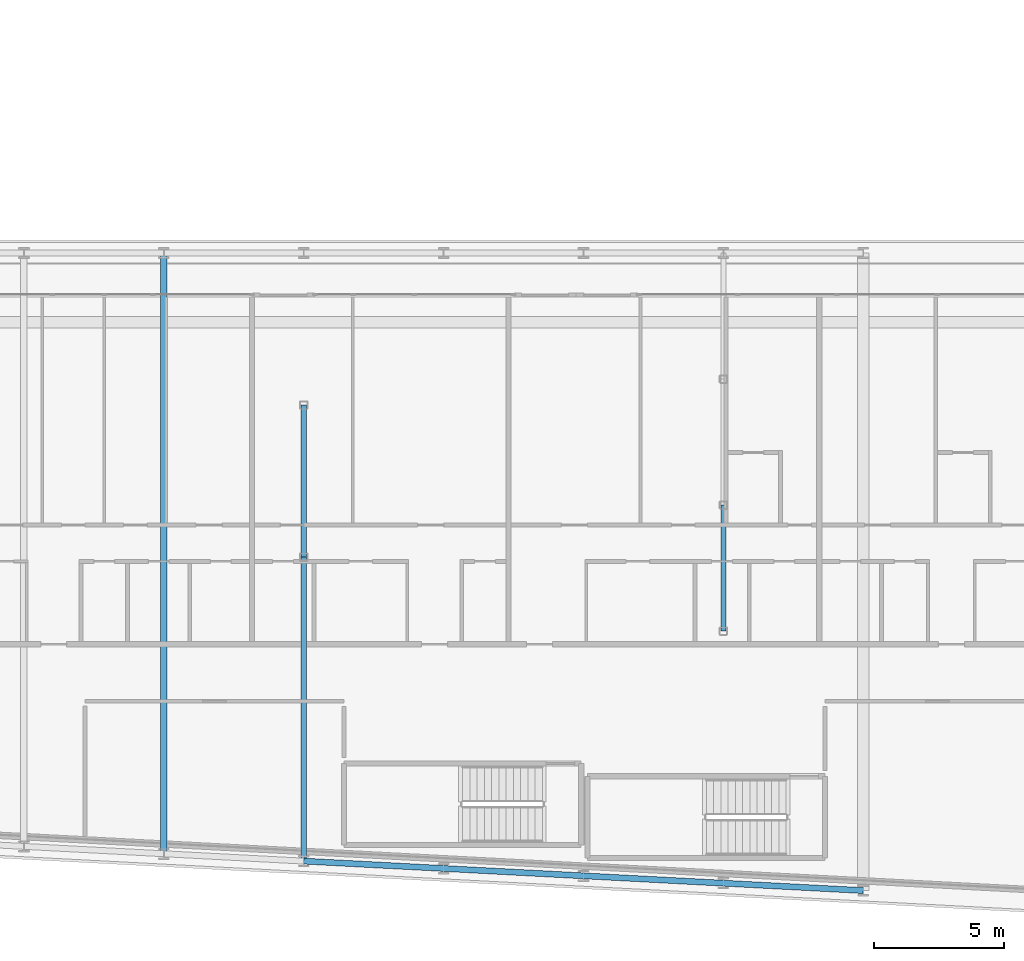
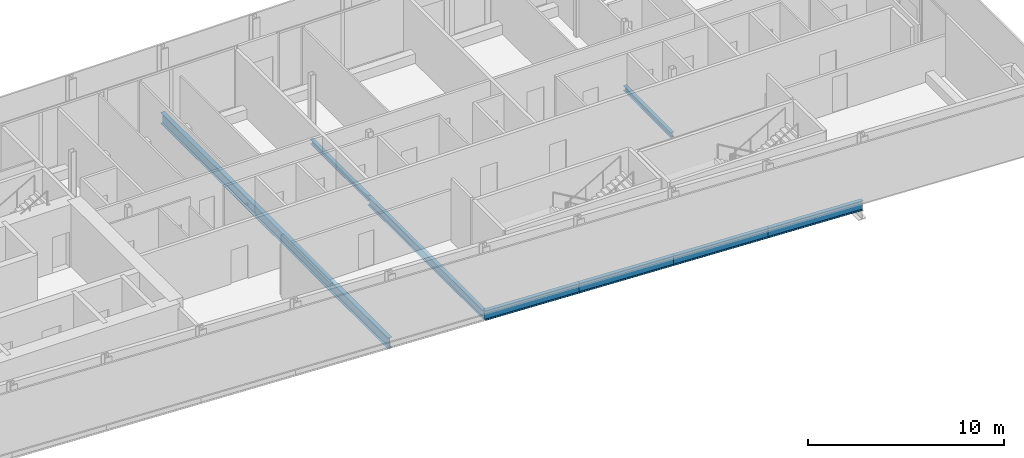
# One storey, part 7 of 30: 8 beams.
"""IFC4 building model written with IfcOpenShell, lengths in metres."""

import ifcopenshell
import ifcopenshell.guid

model = None  # the IFC model being written
_history = None  # IfcOwnerHistory: only IFC2X3 demands one
_inside = {}  # id of a spatial element -> (the spatial element, [elements in it])
_under = {}  # id of a project, library or spatial element -> (it, [spatial elements below it])
_declared = {}  # id of a project -> (the project, [libraries it declares])
_typed = {}  # id of a type object -> (the type object, [elements of that type])
_made_of = {}  # id of a material, layer set ... -> (it, [elements and type objects made of it])


def new_model(schema):
    """Start an empty IFC model of exactly this schema.

    Asked for "IFC4X3", IfcOpenShell would pick the latest addendum, in which some entities
    have other attributes; the version numbers below select the first issue.
    IFC2X3 requires an IfcOwnerHistory on every rooted entity: one is made here for all.
    """
    global model, _history
    if schema == "IFC4X3":
        model = ifcopenshell.file(schema_version=(4, 3, 0, 0))
    else:
        model = ifcopenshell.file(schema=schema)
    _inside.clear()
    _under.clear()
    _declared.clear()
    _typed.clear()
    _made_of.clear()
    _history = None
    if model.schema == "IFC2X3":
        org = make("IfcOrganization", Name="unknown")
        user = make(
            "IfcPersonAndOrganization",
            ThePerson=make("IfcPerson", FamilyName="unknown"),
            TheOrganization=org,
        )
        app = make(
            "IfcApplication",
            ApplicationDeveloper=org,
            Version="unknown",
            ApplicationFullName="unknown",
            ApplicationIdentifier="unknown",
        )
        _history = make(
            "IfcOwnerHistory",
            OwningUser=user,
            OwningApplication=app,
            ChangeAction="ADDED",
            CreationDate=0,
        )
    return model


def make(cls, **values):
    """One entity of the class cls with the attributes given. An attribute that is None is left unset."""
    return model.create_entity(
        cls, **{name: value for name, value in values.items() if value is not None}
    )


def rooted(cls, **values):
    """An entity with a GlobalId (a new one), such as an element, a storey or a relation."""
    return make(cls, GlobalId=ifcopenshell.guid.new(), OwnerHistory=_history, **values)


def si_unit(unit_type, name, prefix=None):
    """IfcSIUnit, for example si_unit("LENGTHUNIT", "METRE", prefix="MILLI")."""
    return make("IfcSIUnit", UnitType=unit_type, Prefix=prefix, Name=name)


def assignment(units):
    """IfcUnitAssignment: the units of a project."""
    return None if units is None else make("IfcUnitAssignment", Units=units)


def point(xyz):
    """IfcCartesianPoint."""
    return None if xyz is None else make("IfcCartesianPoint", Coordinates=xyz)


def direction(xyz):
    """IfcDirection."""
    return None if xyz is None else make("IfcDirection", DirectionRatios=xyz)


def frame(location, z_axis=None, x_axis=None):
    """IfcAxis2Placement3D, a coordinate frame: its origin and axes. An axis left out is left unset."""
    return make(
        "IfcAxis2Placement3D",
        Location=point(location),
        Axis=direction(z_axis),
        RefDirection=direction(x_axis),
    )


def frame_2d(location, x_axis=None):
    """IfcAxis2Placement2D, a coordinate frame in the plane: its origin and x axis."""
    return make(
        "IfcAxis2Placement2D", Location=point(location), RefDirection=direction(x_axis)
    )


def origin():
    """The frame at (0, 0, 0) with its axes left unset."""
    return frame((0.0, 0.0, 0.0))


def origin_2d():
    """The frame at (0, 0) in the plane with its x axis left unset."""
    return frame_2d((0.0, 0.0))


def place(relative_to, where):
    """IfcLocalPlacement: puts the frame where relative to a parent placement (None: the world)."""
    return make(
        "IfcLocalPlacement", PlacementRelTo=relative_to, RelativePlacement=where
    )


def context(
    kind, dimensions, precision=None, world=None, true_north=None, identifier=None
):
    """IfcGeometricRepresentationContext, for example the 3D "Model" context."""
    return make(
        "IfcGeometricRepresentationContext",
        ContextIdentifier=identifier,
        ContextType=kind,
        CoordinateSpaceDimension=dimensions,
        Precision=precision,
        WorldCoordinateSystem=world,
        TrueNorth=true_north,
    )


def subcontext(parent, identifier, kind, view, scale=None):
    """IfcGeometricRepresentationSubContext, for example "Body" below "Model"."""
    return make(
        "IfcGeometricRepresentationSubContext",
        ContextIdentifier=identifier,
        ContextType=kind,
        ParentContext=parent,
        TargetScale=scale,
        TargetView=view,
    )


def project(units=None, contexts=None):
    """IfcProject with its units and contexts."""
    return rooted(
        "IfcProject",
        Name="project",
        RepresentationContexts=contexts,
        UnitsInContext=assignment(units),
    )


def spatial(cls, under=None, at=None, **own):
    """A site, building, storey or space (cls), placed at a placement, below another one or the project."""
    s = rooted(cls, ObjectPlacement=at, **own)
    if under is not None:
        _under.setdefault(under.id(), (under, []))[1].append(s)
    return s


def profile(cls, at=None, kind="AREA", **sizes):
    """A parametric profile (cls). Its sizes go by their IFC names, for example OverallWidth=200.0."""
    return make(cls, ProfileType=kind, Position=at, **sizes)


def i_section(**sizes):
    """IfcIShapeProfileDef."""
    return profile("IfcIShapeProfileDef", **sizes)


def extrude(swept, where, along, depth):
    """IfcExtrudedAreaSolid: the profile swept, set in the frame where, extruded along a direction by depth."""
    return make(
        "IfcExtrudedAreaSolid",
        SweptArea=swept,
        Position=where,
        ExtrudedDirection=direction(along),
        Depth=depth,
    )


def shape(context_of_items, identifier, shape_type, items):
    """IfcShapeRepresentation: the items that make up one representation, for example the "Body"."""
    return make(
        "IfcShapeRepresentation",
        ContextOfItems=context_of_items,
        RepresentationIdentifier=identifier,
        RepresentationType=shape_type,
        Items=items,
    )


def material(Name=None, Category=None):
    """IfcMaterial."""
    return make("IfcMaterial", Name=Name, Category=Category)


def material_profile(
    of_material, cross_section, Name=None, Category=None, Priority=None
):
    """IfcMaterialProfile: a cross section and its material."""
    return make(
        "IfcMaterialProfile",
        Name=Name,
        Material=of_material,
        Profile=cross_section,
        Priority=Priority,
        Category=Category,
    )


def profile_set(profiles, Name=None, composite=None):
    """IfcMaterialProfileSet."""
    return make(
        "IfcMaterialProfileSet",
        Name=Name,
        MaterialProfiles=profiles,
        CompositeProfile=composite,
    )


def made_of(thing, what):
    """Note that an element or type object is made of a material, layer set ...; save() writes the relation."""
    if what is not None:
        _made_of.setdefault(what.id(), (what, []))[1].append(thing)
    return thing


def type_object(cls, material=None, **own):
    """A type object (cls), such as IfcWallType, which elements share."""
    return made_of(rooted(cls, **own), material)


def element(
    cls,
    number,
    at=None,
    inside=None,
    cuts=None,
    type_object=None,
    material=None,
    context=None,
    identifier="Body",
    shape_type=None,
    held_by="IfcProductDefinitionShape",
    body=None,
    shapes=None,
    **own,
):
    """One element of the class cls, such as IfcWall. Its Tag is "e" and its number.

    at: its placement. inside: the storey or other place that contains it. cuts: it is an
    opening in that element (IfcRelVoidsElement). A single representation is given by context,
    identifier, shape_type and body (its items); several are given by shapes. held_by: the class
    of the entity that holds the representations. save() writes the other relations.
    """
    e = rooted(cls, Tag="e%d" % number, ObjectPlacement=at, **own)
    if body is not None:
        shapes = [shape(context, identifier, shape_type, body)]
    if shapes is not None:
        e.Representation = make(held_by, Representations=shapes)
    if inside is not None:
        _inside.setdefault(inside.id(), (inside, []))[1].append(e)
    if cuts is not None:
        rooted(
            "IfcRelVoidsElement", RelatingBuildingElement=cuts, RelatedOpeningElement=e
        )
    if type_object is not None:
        _typed.setdefault(type_object.id(), (type_object, []))[1].append(e)
    return made_of(e, material)


def aggregate(whole, parts):
    """IfcRelAggregates: a whole, such as a stair, and the parts it consists of."""
    return rooted("IfcRelAggregates", RelatingObject=whole, RelatedObjects=parts)


def save(model, path):
    """Write the relations noted so far, then the file.

    IfcRelAggregates (storeys below a building ...), IfcRelContainedInSpatialStructure (elements
    in a storey), IfcRelDefinesByType, IfcRelAssociatesMaterial and IfcRelDeclares: one each for
    every whole, place, type object, material and project.
    """
    for whole, parts in _under.values():
        aggregate(whole, parts)
    for where, things in _inside.values():
        rooted(
            "IfcRelContainedInSpatialStructure",
            RelatedElements=things,
            RelatingStructure=where,
        )
    for kind, things in _typed.values():
        rooted("IfcRelDefinesByType", RelatedObjects=things, RelatingType=kind)
    for what, things in _made_of.values():
        rooted("IfcRelAssociatesMaterial", RelatedObjects=things, RelatingMaterial=what)
    for by, libraries in _declared.values():
        rooted("IfcRelDeclares", RelatingContext=by, RelatedDefinitions=libraries)
    model.write(path)


model = new_model("IFC4")

# Units and contexts
model_context = context("Model", 3, precision=1e-05, world=origin(), true_north=direction((0.0, 1.0)))
body_context = subcontext(model_context, "Body", "Model", "MODEL_VIEW")
ifc_project = project(units=[si_unit("LENGTHUNIT", "METRE"), si_unit("AREAUNIT", "SQUARE_METRE"), si_unit("VOLUMEUNIT", "CUBIC_METRE"), si_unit("PLANEANGLEUNIT", "RADIAN"), si_unit("MASSUNIT", "GRAM", prefix="KILO")], contexts=[model_context])

# Site, building, storey
site_placement = place(None, origin())
site = spatial("IfcSite", under=ifc_project, at=site_placement, CompositionType="ELEMENT")
building_placement = place(site_placement, origin())
building = spatial("IfcBuilding", under=site, at=building_placement, Name="Kheshtan School and Residences Tower", CompositionType="ELEMENT")
storey_placement = place(building_placement, frame((0.0, 0.0, 195.5)))
storey = spatial("IfcBuildingStorey", under=building, at=storey_placement, Name="L46", CompositionType="ELEMENT", Elevation=195.5)

# Beams
ifc_material = material(Name="Steel ASTM A992 Grade 50", Category="steel")
ifc_material_profile_1 = material_profile(ifc_material, i_section(OverallWidth=0.202880859375, OverallDepth=0.302978515625, WebThickness=0.007568359375, FlangeThickness=0.01318359375, FilletRadius=0.009033203125, at=origin_2d()), Name="W310x60")
ifc_profile_set_1 = profile_set([ifc_material_profile_1], Name="Steel ASTM A992 Grade 50")
beam_type_1 = type_object("IfcBeamType", Name="Beam FB1 W310x60 ASTM A992 Grade 50", PredefinedType="BEAM", material=ifc_profile_set_1)
beam_1_placement = place(storey_placement, frame((85.39990234375, 31.0048828125, -0.301513671875), z_axis=(0.0, 1.0, 0.0), x_axis=(-1.0, 0.0, 0.0)))
element("IfcBeam", 1, at=beam_1_placement, inside=storey, type_object=beam_type_1, Name="Floor beam IC", PredefinedType="BEAM", context=body_context, shape_type="SweptSolid", body=[
    extrude(i_section(OverallWidth=0.202880859375, OverallDepth=0.302978515625, WebThickness=0.007568359375, FlangeThickness=0.01318359375, FilletRadius=0.009033203125, at=origin_2d()), origin(), (0.0, 0.0, 1.0), 4.865234375),
])
beam_2_placement = place(storey_placement, frame((69.199951171875, 33.863037109375, -0.301513671875), z_axis=(0.0, 1.0, 0.0), x_axis=(-1.0, 0.0, 0.0)))
element("IfcBeam", 2, at=beam_2_placement, inside=storey, type_object=beam_type_1, Name="Floor beam IC", PredefinedType="BEAM", context=body_context, shape_type="SweptSolid", body=[
    extrude(i_section(OverallWidth=0.202880859375, OverallDepth=0.302978515625, WebThickness=0.007568359375, FlangeThickness=0.01318359375, FilletRadius=0.009033203125, at=origin_2d()), origin(), (0.0, 0.0, 1.0), 5.868896484375),
])
ifc_material_profile_2 = material_profile(ifc_material, i_section(OverallWidth=0.208984375, OverallDepth=0.532958984375, WebThickness=0.01025390625, FlangeThickness=0.015625, FilletRadius=0.013916015625, at=origin_2d()), Name="W530x92")
ifc_profile_set_2 = profile_set([ifc_material_profile_2], Name="Steel ASTM A992 Grade 50")
beam_type_2 = type_object("IfcBeamType", Name="Beam FB4 W530x92 ASTM A992 Grade 50", PredefinedType="BEAM", material=ifc_profile_set_2)
beam_3_placement = place(storey_placement, frame((69.199951171875, 22.126953125, -0.41650390625), z_axis=(0.0, 1.0, 0.0), x_axis=(-1.0, 0.0, 0.0)))
element("IfcBeam", 3, at=beam_3_placement, inside=storey, type_object=beam_type_2, Name="Floor beam C014", PredefinedType="BEAM", context=body_context, shape_type="SweptSolid", body=[
    extrude(i_section(OverallWidth=0.208984375, OverallDepth=0.532958984375, WebThickness=0.01025390625, FlangeThickness=0.015625, FilletRadius=0.013916015625, at=origin_2d()), origin(), (0.0, 0.0, 1.0), 11.736083984375),
])
ifc_material_profile_3 = material_profile(ifc_material, i_section(OverallWidth=0.2529296875, OverallDepth=0.677978515625, WebThickness=0.01171875, FlangeThickness=0.016357421875, FilletRadius=0.0146484375, at=origin_2d()), Name="W690x125")
ifc_profile_set_3 = profile_set([ifc_material_profile_3], Name="Steel ASTM A992 Grade 50")
beam_type_3 = type_object("IfcBeamType", Name="Beam FB6 W690x125 ASTM A992 Grade 50", PredefinedType="BEAM", material=ifc_profile_set_3)
beam_4_placement = place(storey_placement, frame((63.800048828125, 45.60009765625, -0.489013671875), z_axis=(0.0, -1.0, 0.0), x_axis=(1.0, 0.0, 0.0)))
element("IfcBeam", 4, at=beam_4_placement, inside=storey, type_object=beam_type_3, Name="Floor beam C063", PredefinedType="BEAM", context=body_context, shape_type="SweptSolid", body=[
    extrude(i_section(OverallWidth=0.2529296875, OverallDepth=0.677978515625, WebThickness=0.01171875, FlangeThickness=0.016357421875, FilletRadius=0.0146484375, at=origin_2d()), origin(), (0.0, 0.0, 1.0), 23.189208984375),
])
ifc_material_profile_4 = material_profile(ifc_material, i_section(OverallWidth=0.22802734375, OverallDepth=0.60302734375, WebThickness=0.010498046875, FlangeThickness=0.014892578125, FilletRadius=0.013427734375, at=origin_2d()), Name="W610x101")
ifc_profile_set_4 = profile_set([ifc_material_profile_4], Name="Steel ASTM A992 Grade 50")
beam_type_4 = type_object("IfcBeamType", Name="Beam SP2 W610x101 ASTM A992 Grade 50", PredefinedType="BEAM", material=ifc_profile_set_4)
beam_5_placement = place(storey_placement, frame((90.800048828125, 20.989990234375, -0.451416015625), z_axis=(-0.998620571751, 0.05250670125, 0.0), x_axis=(-0.05250670125, -0.998620571751, 0.0)))
element("IfcBeam", 5, at=beam_5_placement, inside=storey, type_object=beam_type_4, Name="Spandrel beam C006-C008", PredefinedType="BEAM", context=body_context, shape_type="SweptSolid", body=[
    extrude(i_section(OverallWidth=0.22802734375, OverallDepth=0.60302734375, WebThickness=0.010498046875, FlangeThickness=0.014892578125, FilletRadius=0.013427734375, at=origin_2d()), origin(), (0.0, 0.0, 1.0), 5.40771484375),
])
for number, where, z_axis, x_axis, name in (
    (6, (85.39990234375, 21.27392578125, -0.451416015625), (-0.998618078766, 0.052554093665, 0.0), (-0.052554093665, -0.998618078766, 0.0), "Spandrel beam C008-C012"),
    (7, (80.0, 21.55810546875, -0.451416015625), (-0.998610961136, 0.052689166816, 0.0), (-0.052689166816, -0.998610961136, 0.0), "Spandrel beam C012-C013"),
):
    element("IfcBeam", number, at=place(storey_placement, frame(where, z_axis=z_axis, x_axis=x_axis)), inside=storey, type_object=beam_type_4, Name=name, PredefinedType="BEAM", context=body_context, shape_type="SweptSolid", body=[
        extrude(i_section(OverallWidth=0.22802734375, OverallDepth=0.60302734375, WebThickness=0.010498046875, FlangeThickness=0.014892578125, FilletRadius=0.013427734375, at=origin_2d()), origin(), (0.0, 0.0, 1.0), 5.407470703125),
    ])
beam_6_placement = place(storey_placement, frame((74.60009765625, 21.843017578125, -0.451416015625), z_axis=(-0.998620571751, 0.05250670125, 0.0), x_axis=(-0.05250670125, -0.998620571751, 0.0)))
element("IfcBeam", 8, at=beam_6_placement, inside=storey, type_object=beam_type_4, Name="Spandrel beam C013-C014", PredefinedType="BEAM", context=body_context, shape_type="SweptSolid", body=[
    extrude(i_section(OverallWidth=0.22802734375, OverallDepth=0.60302734375, WebThickness=0.010498046875, FlangeThickness=0.014892578125, FilletRadius=0.013427734375, at=origin_2d()), origin(), (0.0, 0.0, 1.0), 5.40771484375),
])

save(model, "model.ifc")
